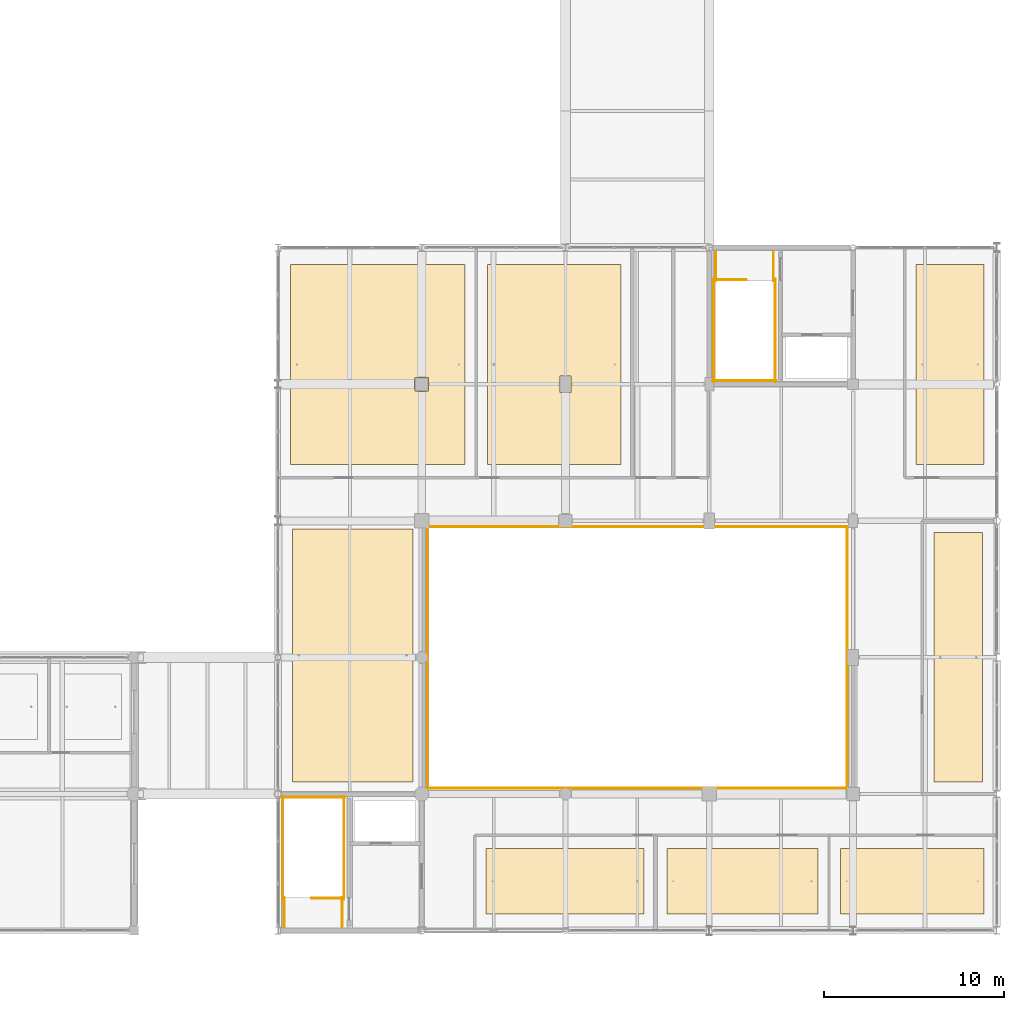
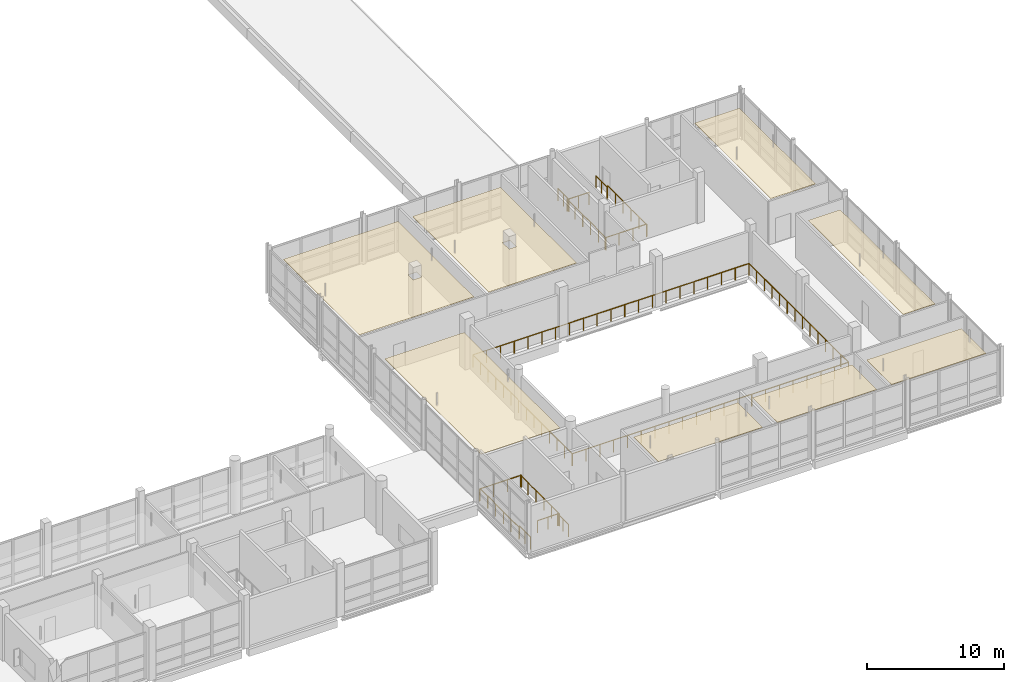
# One storey, part 105 of 107: 16 railings, 8 coverings.
"""IFC4 building model written with IfcOpenShell, lengths in metres."""

import ifcopenshell
import ifcopenshell.guid

model = None  # the IFC model being written
_history = None  # IfcOwnerHistory: only IFC2X3 demands one
_inside = {}  # id of a spatial element -> (the spatial element, [elements in it])
_under = {}  # id of a project, library or spatial element -> (it, [spatial elements below it])
_declared = {}  # id of a project -> (the project, [libraries it declares])
_typed = {}  # id of a type object -> (the type object, [elements of that type])
_made_of = {}  # id of a material, layer set ... -> (it, [elements and type objects made of it])


def new_model(schema):
    """Start an empty IFC model of exactly this schema.

    Asked for "IFC4X3", IfcOpenShell would pick the latest addendum, in which some entities
    have other attributes; the version numbers below select the first issue.
    IFC2X3 requires an IfcOwnerHistory on every rooted entity: one is made here for all.
    """
    global model, _history
    if schema == "IFC4X3":
        model = ifcopenshell.file(schema_version=(4, 3, 0, 0))
    else:
        model = ifcopenshell.file(schema=schema)
    _inside.clear()
    _under.clear()
    _declared.clear()
    _typed.clear()
    _made_of.clear()
    _history = None
    if model.schema == "IFC2X3":
        org = make("IfcOrganization", Name="unknown")
        user = make(
            "IfcPersonAndOrganization",
            ThePerson=make("IfcPerson", FamilyName="unknown"),
            TheOrganization=org,
        )
        app = make(
            "IfcApplication",
            ApplicationDeveloper=org,
            Version="unknown",
            ApplicationFullName="unknown",
            ApplicationIdentifier="unknown",
        )
        _history = make(
            "IfcOwnerHistory",
            OwningUser=user,
            OwningApplication=app,
            ChangeAction="ADDED",
            CreationDate=0,
        )
    return model


def make(cls, **values):
    """One entity of the class cls with the attributes given. An attribute that is None is left unset."""
    return model.create_entity(
        cls, **{name: value for name, value in values.items() if value is not None}
    )


def rooted(cls, **values):
    """An entity with a GlobalId (a new one), such as an element, a storey or a relation."""
    return make(cls, GlobalId=ifcopenshell.guid.new(), OwnerHistory=_history, **values)


def si_unit(unit_type, name, prefix=None):
    """IfcSIUnit, for example si_unit("LENGTHUNIT", "METRE", prefix="MILLI")."""
    return make("IfcSIUnit", UnitType=unit_type, Prefix=prefix, Name=name)


def assignment(units):
    """IfcUnitAssignment: the units of a project."""
    return None if units is None else make("IfcUnitAssignment", Units=units)


def point(xyz):
    """IfcCartesianPoint."""
    return None if xyz is None else make("IfcCartesianPoint", Coordinates=xyz)


def direction(xyz):
    """IfcDirection."""
    return None if xyz is None else make("IfcDirection", DirectionRatios=xyz)


def frame(location, z_axis=None, x_axis=None):
    """IfcAxis2Placement3D, a coordinate frame: its origin and axes. An axis left out is left unset."""
    return make(
        "IfcAxis2Placement3D",
        Location=point(location),
        Axis=direction(z_axis),
        RefDirection=direction(x_axis),
    )


def frame_2d(location, x_axis=None):
    """IfcAxis2Placement2D, a coordinate frame in the plane: its origin and x axis."""
    return make(
        "IfcAxis2Placement2D", Location=point(location), RefDirection=direction(x_axis)
    )


def origin():
    """The frame at (0, 0, 0) with its axes left unset."""
    return frame((0.0, 0.0, 0.0))


def origin_2d():
    """The frame at (0, 0) in the plane with its x axis left unset."""
    return frame_2d((0.0, 0.0))


def place(relative_to, where):
    """IfcLocalPlacement: puts the frame where relative to a parent placement (None: the world)."""
    return make(
        "IfcLocalPlacement", PlacementRelTo=relative_to, RelativePlacement=where
    )


def context(
    kind, dimensions, precision=None, world=None, true_north=None, identifier=None
):
    """IfcGeometricRepresentationContext, for example the 3D "Model" context."""
    return make(
        "IfcGeometricRepresentationContext",
        ContextIdentifier=identifier,
        ContextType=kind,
        CoordinateSpaceDimension=dimensions,
        Precision=precision,
        WorldCoordinateSystem=world,
        TrueNorth=true_north,
    )


def subcontext(parent, identifier, kind, view, scale=None):
    """IfcGeometricRepresentationSubContext, for example "Body" below "Model"."""
    return make(
        "IfcGeometricRepresentationSubContext",
        ContextIdentifier=identifier,
        ContextType=kind,
        ParentContext=parent,
        TargetScale=scale,
        TargetView=view,
    )


def project(units=None, contexts=None):
    """IfcProject with its units and contexts."""
    return rooted(
        "IfcProject",
        Name="project",
        RepresentationContexts=contexts,
        UnitsInContext=assignment(units),
    )


def spatial(cls, under=None, at=None, **own):
    """A site, building, storey or space (cls), placed at a placement, below another one or the project."""
    s = rooted(cls, ObjectPlacement=at, **own)
    if under is not None:
        _under.setdefault(under.id(), (under, []))[1].append(s)
    return s


def polyline(points):
    """IfcPolyline through the points."""
    return make("IfcPolyline", Points=[point(p) for p in points])


def profile(cls, at=None, kind="AREA", **sizes):
    """A parametric profile (cls). Its sizes go by their IFC names, for example OverallWidth=200.0."""
    return make(cls, ProfileType=kind, Position=at, **sizes)


def circle(**sizes):
    """IfcCircleProfileDef."""
    return profile("IfcCircleProfileDef", **sizes)


def outline(outer, holes=None, kind="AREA"):
    """IfcArbitraryClosedProfileDef: a profile drawn as a closed curve; with holes, ...WithVoids."""
    if holes is None:
        return make("IfcArbitraryClosedProfileDef", ProfileType=kind, OuterCurve=outer)
    return make(
        "IfcArbitraryProfileDefWithVoids",
        ProfileType=kind,
        OuterCurve=outer,
        InnerCurves=holes,
    )


def extrude(swept, where, along, depth):
    """IfcExtrudedAreaSolid: the profile swept, set in the frame where, extruded along a direction by depth."""
    return make(
        "IfcExtrudedAreaSolid",
        SweptArea=swept,
        Position=where,
        ExtrudedDirection=direction(along),
        Depth=depth,
    )


def shape(context_of_items, identifier, shape_type, items):
    """IfcShapeRepresentation: the items that make up one representation, for example the "Body"."""
    return make(
        "IfcShapeRepresentation",
        ContextOfItems=context_of_items,
        RepresentationIdentifier=identifier,
        RepresentationType=shape_type,
        Items=items,
    )


def material(Name=None, Category=None):
    """IfcMaterial."""
    return make("IfcMaterial", Name=Name, Category=Category)


def layer(
    of_material, thickness, ventilated=None, Name=None, Category=None, Priority=None
):
    """IfcMaterialLayer: one layer of a wall or slab, of a material (None: an air gap)."""
    return make(
        "IfcMaterialLayer",
        Material=of_material,
        LayerThickness=thickness,
        IsVentilated=ventilated,
        Name=Name,
        Category=Category,
        Priority=Priority,
    )


def layer_set(layers, Name=None):
    """IfcMaterialLayerSet."""
    return make("IfcMaterialLayerSet", MaterialLayers=layers, LayerSetName=Name)


def made_of(thing, what):
    """Note that an element or type object is made of a material, layer set ...; save() writes the relation."""
    if what is not None:
        _made_of.setdefault(what.id(), (what, []))[1].append(thing)
    return thing


def type_object(cls, material=None, **own):
    """A type object (cls), such as IfcWallType, which elements share."""
    return made_of(rooted(cls, **own), material)


def element(
    cls,
    number,
    at=None,
    inside=None,
    cuts=None,
    type_object=None,
    material=None,
    context=None,
    identifier="Body",
    shape_type=None,
    held_by="IfcProductDefinitionShape",
    body=None,
    shapes=None,
    **own,
):
    """One element of the class cls, such as IfcWall. Its Tag is "e" and its number.

    at: its placement. inside: the storey or other place that contains it. cuts: it is an
    opening in that element (IfcRelVoidsElement). A single representation is given by context,
    identifier, shape_type and body (its items); several are given by shapes. held_by: the class
    of the entity that holds the representations. save() writes the other relations.
    """
    e = rooted(cls, Tag="e%d" % number, ObjectPlacement=at, **own)
    if body is not None:
        shapes = [shape(context, identifier, shape_type, body)]
    if shapes is not None:
        e.Representation = make(held_by, Representations=shapes)
    if inside is not None:
        _inside.setdefault(inside.id(), (inside, []))[1].append(e)
    if cuts is not None:
        rooted(
            "IfcRelVoidsElement", RelatingBuildingElement=cuts, RelatedOpeningElement=e
        )
    if type_object is not None:
        _typed.setdefault(type_object.id(), (type_object, []))[1].append(e)
    return made_of(e, material)


def aggregate(whole, parts):
    """IfcRelAggregates: a whole, such as a stair, and the parts it consists of."""
    return rooted("IfcRelAggregates", RelatingObject=whole, RelatedObjects=parts)


def save(model, path):
    """Write the relations noted so far, then the file.

    IfcRelAggregates (storeys below a building ...), IfcRelContainedInSpatialStructure (elements
    in a storey), IfcRelDefinesByType, IfcRelAssociatesMaterial and IfcRelDeclares: one each for
    every whole, place, type object, material and project.
    """
    for whole, parts in _under.values():
        aggregate(whole, parts)
    for where, things in _inside.values():
        rooted(
            "IfcRelContainedInSpatialStructure",
            RelatedElements=things,
            RelatingStructure=where,
        )
    for kind, things in _typed.values():
        rooted("IfcRelDefinesByType", RelatedObjects=things, RelatingType=kind)
    for what, things in _made_of.values():
        rooted("IfcRelAssociatesMaterial", RelatedObjects=things, RelatingMaterial=what)
    for by, libraries in _declared.values():
        rooted("IfcRelDeclares", RelatingContext=by, RelatedDefinitions=libraries)
    model.write(path)


model = new_model("IFC4")

# Units and contexts
model_context = context("Model", 3, precision=1e-05, world=origin(), true_north=direction((0.0, 1.0)))
body_context = subcontext(model_context, "Body", "Model", "MODEL_VIEW")
ifc_project = project(units=[si_unit("LENGTHUNIT", "METRE"), si_unit("AREAUNIT", "SQUARE_METRE"), si_unit("VOLUMEUNIT", "CUBIC_METRE"), si_unit("PLANEANGLEUNIT", "RADIAN"), si_unit("MASSUNIT", "GRAM", prefix="KILO")], contexts=[model_context])

# Site, building, storey
site_placement = place(None, origin())
site = spatial("IfcSite", under=ifc_project, at=site_placement, CompositionType="ELEMENT")
building_placement = place(site_placement, origin())
building = spatial("IfcBuilding", under=site, at=building_placement, Name="Khelvaren Railside Concert Hall", CompositionType="ELEMENT")
storey_placement = place(building_placement, frame((0.0, 0.0, 15.0)))
storey = spatial("IfcBuildingStorey", under=building, at=storey_placement, Name="L03", CompositionType="ELEMENT", Elevation=15.0)

# Coverings
ifc_material_1 = material(Name="Mineral-wool acoustic baffle ceiling", Category="gypsum")
ifc_layer_1 = layer(ifc_material_1, 0.0400390625)
ifc_layer_set_1 = layer_set([ifc_layer_1], Name="Mineral-wool acoustic baffle ceiling")
covering_type_1 = type_object("IfcCoveringType", Name="CLG20", PredefinedType="CEILING", material=ifc_layer_set_1)
covering_1_placement = place(storey_placement, frame((0.0, 0.0, 3.409912109375)))
element("IfcCovering", 1, at=covering_1_placement, inside=storey, type_object=covering_type_1, Name="Suspended Acoustic Ceiling V2 L03 West Bridge Foyer", PredefinedType="CEILING", context=body_context, shape_type="SweptSolid", body=[
    extrude(outline(polyline([(144.800048828125, 8.27001953125), (151.5, 8.27001953125), (151.5, 22.35009765625), (144.800048828125, 22.35009765625), (144.800048828125, 8.27001953125)])), origin(), (0.0, 0.0, 1.0), 0.0400390625),
])
covering_2_placement = place(storey_placement, frame((0.0, 0.0, 3.409912109375)))
element("IfcCovering", 2, at=covering_2_placement, inside=storey, type_object=covering_type_1, Name="Suspended Acoustic Ceiling Choral Warm-Up Studio", PredefinedType="CEILING", context=body_context, shape_type="SweptSolid", body=[
    extrude(outline(polyline([(155.580078125, 0.929931640625), (164.37890625, 0.929931640625), (164.37890625, 4.570068359375), (155.580078125, 4.570068359375), (155.580078125, 0.929931640625)])), origin(), (0.0, 0.0, 1.0), 0.0400390625),
])
covering_3_placement = place(storey_placement, frame((0.0, 0.0, 3.409912109375)))
element("IfcCovering", 3, at=covering_3_placement, inside=storey, type_object=covering_type_1, Name="Suspended Acoustic Ceiling Instrument Microphone Store", PredefinedType="CEILING", context=body_context, shape_type="SweptSolid", body=[
    extrude(outline(polyline([(175.2958984375, 0.929931640625), (183.2900390625, 0.929931640625), (183.2900390625, 4.570068359375), (175.2958984375, 4.570068359375), (175.2958984375, 0.929931640625)])), origin(), (0.0, 0.0, 1.0), 0.0400390625),
])
covering_4_placement = place(storey_placement, frame((0.0, 0.0, 3.409912109375)))
element("IfcCovering", 4, at=covering_4_placement, inside=storey, type_object=covering_type_1, Name="Suspended Acoustic Ceiling Acoustic Editing Room L03", PredefinedType="CEILING", context=body_context, shape_type="SweptSolid", body=[
    extrude(outline(polyline([(155.6630859375, 25.929931640625), (163.0830078125, 25.929931640625), (163.0830078125, 37.070068359375), (155.6630859375, 37.070068359375), (155.6630859375, 25.929931640625)]), holes=[polyline([(159.68505859375, 29.93505859375), (160.31494140625, 29.93505859375), (160.31494140625, 30.864990234375), (159.68505859375, 30.864990234375), (159.68505859375, 29.93505859375)])]), origin(), (0.0, 0.0, 1.0), 0.0400390625),
])
ifc_material_2 = material(Name="Micro-perforated timber acoustic ceiling", Category="wood")
ifc_layer_2 = layer(ifc_material_2, 0.030029296875)
ifc_layer_set_2 = layer_set([ifc_layer_2], Name="Micro-perforated timber acoustic ceiling")
covering_type_2 = type_object("IfcCoveringType", Name="CLG77", PredefinedType="CEILING", material=ifc_layer_set_2)
covering_5_placement = place(storey_placement, frame((0.0, 0.0, 3.419921875)))
element("IfcCovering", 5, at=covering_5_placement, inside=storey, type_object=covering_type_2, Name="Suspended Acoustic Ceiling Acoustic Mastering Control Room L03", PredefinedType="CEILING", context=body_context, shape_type="SweptSolid", body=[
    extrude(outline(polyline([(180.5, 8.27001953125), (183.199951171875, 8.27001953125), (183.199951171875, 22.14990234375), (180.5, 22.14990234375), (180.5, 8.27001953125)])), origin(), (0.0, 0.0, 1.0), 0.030029296875),
])
covering_6_placement = place(storey_placement, frame((0.0, 0.0, 3.419921875)))
element("IfcCovering", 6, at=covering_6_placement, inside=storey, type_object=covering_type_2, Name="Suspended Acoustic Ceiling Recording Observation Booth", PredefinedType="CEILING", context=body_context, shape_type="SweptSolid", body=[
    extrude(outline(polyline([(165.638916015625, 0.929931640625), (174.035888671875, 0.929931640625), (174.035888671875, 4.570068359375), (165.638916015625, 4.570068359375), (165.638916015625, 0.929931640625)])), origin(), (0.0, 0.0, 1.0), 0.030029296875),
])
covering_7_placement = place(storey_placement, frame((0.0, 0.0, 3.419921875)))
element("IfcCovering", 7, at=covering_7_placement, inside=storey, type_object=covering_type_2, Name="Suspended Acoustic Ceiling Chamber Recording Studio L03", PredefinedType="CEILING", context=body_context, shape_type="SweptSolid", body=[
    extrude(outline(polyline([(144.7099609375, 25.929931640625), (154.403076171875, 25.929931640625), (154.403076171875, 37.070068359375), (144.7099609375, 37.070068359375), (144.7099609375, 25.929931640625)]), holes=[polyline([(151.635009765625, 30.034912109375), (152.364990234375, 30.034912109375), (152.364990234375, 30.764892578125), (151.635009765625, 30.764892578125), (151.635009765625, 30.034912109375)])]), origin(), (0.0, 0.0, 1.0), 0.030029296875),
])
covering_8_placement = place(storey_placement, frame((0.0, 0.0, 3.419921875)))
element("IfcCovering", 8, at=covering_8_placement, inside=storey, type_object=covering_type_2, Name="Suspended Acoustic Ceiling Sound Archive Server Room L03", PredefinedType="CEILING", context=body_context, shape_type="SweptSolid", body=[
    extrude(outline(polyline([(179.510009765625, 25.929931640625), (183.2900390625, 25.929931640625), (183.2900390625, 37.070068359375), (179.510009765625, 37.070068359375), (179.510009765625, 25.929931640625)])), origin(), (0.0, 0.0, 1.0), 0.030029296875),
])

# Railings
ifc_material_3 = material(Name="Painted architectural steel", Category="steel")
railing_type_1 = type_object("IfcRailingType", Name="GRD86", PredefinedType="GUARDRAIL", material=ifc_material_3)
railing_1_placement = place(storey_placement, frame((147.6201171875, 1.7900390625, 0.0)))
element("IfcRailing", 9, at=railing_1_placement, inside=storey, type_object=railing_type_1, Name="L03 ST-03 top well guard 1", PredefinedType="GUARDRAIL", context=body_context, shape_type="SweptSolid", body=[
    extrude(circle(Radius=0.02392578125, at=origin_2d()), frame((0.0, 0.0, 1.076171875), z_axis=(-1.0, 0.0, 0.0), x_axis=(0.0, -1.0, 0.0)), (0.0, 0.0, 1.0), 1.760009765625),
    extrude(circle(Radius=0.02099609375, at=origin_2d()), origin(), (0.0, 0.0, 1.0), 1.052001953125),
    extrude(circle(Radius=0.02099609375, at=origin_2d()), frame((-0.8798828125, 0.0, 0.0)), (0.0, 0.0, 1.0), 1.052001953125),
    extrude(circle(Radius=0.02099609375, at=origin_2d()), frame((-1.760009765625, 0.0, 0.0)), (0.0, 0.0, 1.0), 1.052001953125),
])
for number, where, name in (
    (10, (147.669921875, 1.739990234375, 0.0), "L03 ST-03 top well guard 2"),
    (11, (144.25, 1.739990234375, 0.0), "L03 ST-03 top well guard 3"),
):
    element("IfcRailing", number, at=place(storey_placement, frame(where)), inside=storey, type_object=railing_type_1, Name=name, PredefinedType="GUARDRAIL", context=body_context, shape_type="SweptSolid", body=[
        extrude(circle(Radius=0.02392578125, at=origin_2d()), frame((0.0, 0.0, 1.076171875), z_axis=(0.0, 1.0, 0.0), x_axis=(-1.0, 0.0, 0.0)), (0.0, 0.0, 1.0), 5.719970703125),
        extrude(circle(Radius=0.02099609375, at=origin_2d()), origin(), (0.0, 0.0, 1.0), 1.052001953125),
        extrude(circle(Radius=0.02099609375, at=origin_2d()), frame((0.0, 1.14404296875, 0.0)), (0.0, 0.0, 1.0), 1.052001953125),
        extrude(circle(Radius=0.02099609375, at=origin_2d()), frame((0.0, 2.2880859375, 0.0)), (0.0, 0.0, 1.0), 1.052001953125),
        extrude(circle(Radius=0.02099609375, at=origin_2d()), frame((0.0, 3.431884765625, 0.0)), (0.0, 0.0, 1.0), 1.052001953125),
        extrude(circle(Radius=0.02099609375, at=origin_2d()), frame((0.0, 4.575927734375, 0.0)), (0.0, 0.0, 1.0), 1.052001953125),
        extrude(circle(Radius=0.02099609375, at=origin_2d()), frame((0.0, 5.719970703125, 0.0)), (0.0, 0.0, 1.0), 1.052001953125),
    ])
railing_2_placement = place(storey_placement, frame((147.719970703125, 7.409912109375, 0.0)))
element("IfcRailing", 12, at=railing_2_placement, inside=storey, type_object=railing_type_1, Name="L03 ST-03 top well guard 4", PredefinedType="GUARDRAIL", context=body_context, shape_type="SweptSolid", body=[
    extrude(circle(Radius=0.02392578125, at=origin_2d()), frame((0.0, 0.0, 1.076171875), z_axis=(-1.0, 0.0, 0.0), x_axis=(0.0, -1.0, 0.0)), (0.0, 0.0, 1.0), 3.52001953125),
    extrude(circle(Radius=0.02099609375, at=origin_2d()), origin(), (0.0, 0.0, 1.0), 1.052001953125),
    extrude(circle(Radius=0.02099609375, at=origin_2d()), frame((-1.17333984375, 0.0, 0.0)), (0.0, 0.0, 1.0), 1.052001953125),
    extrude(circle(Radius=0.02099609375, at=origin_2d()), frame((-2.3466796875, 0.0, 0.0)), (0.0, 0.0, 1.0), 1.052001953125),
    extrude(circle(Radius=0.02099609375, at=origin_2d()), frame((-3.52001953125, 0.0, 0.0)), (0.0, 0.0, 1.0), 1.052001953125),
])
for number, where, name in (
    (13, (147.570068359375, 0.239990234375, 0.0), "L03 ST-03 top well guard 5"),
    (14, (144.35009765625, 0.239990234375, 0.0), "L03 ST-03 top well guard 6"),
):
    element("IfcRailing", number, at=place(storey_placement, frame(where)), inside=storey, type_object=railing_type_1, Name=name, PredefinedType="GUARDRAIL", context=body_context, shape_type="SweptSolid", body=[
        extrude(circle(Radius=0.02392578125, at=origin_2d()), frame((0.0, 0.0, 1.076171875), z_axis=(0.0, 1.0, 0.0), x_axis=(-1.0, 0.0, 0.0)), (0.0, 0.0, 1.0), 1.60009765625),
        extrude(circle(Radius=0.02099609375, at=origin_2d()), origin(), (0.0, 0.0, 1.0), 1.052001953125),
        extrude(circle(Radius=0.02099609375, at=origin_2d()), frame((0.0, 0.800048828125, 0.0)), (0.0, 0.0, 1.0), 1.052001953125),
        extrude(circle(Radius=0.02099609375, at=origin_2d()), frame((0.0, 1.60009765625, 0.0)), (0.0, 0.0, 1.0), 1.052001953125),
    ])
railing_3_placement = place(storey_placement, frame((168.300048828125, 36.2099609375, 0.0)))
element("IfcRailing", 15, at=railing_3_placement, inside=storey, type_object=railing_type_1, Name="L03 ST-04 top well guard 1", PredefinedType="GUARDRAIL", context=body_context, shape_type="SweptSolid", body=[
    extrude(circle(Radius=0.02392578125, at=origin_2d()), frame((0.0, 0.0, 1.076171875), z_axis=(1.0, 0.0, 0.0), x_axis=(0.0, 1.0, 0.0)), (0.0, 0.0, 1.0), 1.760009765625),
    extrude(circle(Radius=0.02099609375, at=origin_2d()), origin(), (0.0, 0.0, 1.0), 1.052001953125),
    extrude(circle(Radius=0.02099609375, at=origin_2d()), frame((0.8798828125, 0.0, 0.0)), (0.0, 0.0, 1.0), 1.052001953125),
    extrude(circle(Radius=0.02099609375, at=origin_2d()), frame((1.760009765625, 0.0, 0.0)), (0.0, 0.0, 1.0), 1.052001953125),
])
for number, where, name in (
    (16, (168.25, 36.260009765625, 0.0), "L03 ST-04 top well guard 2"),
    (17, (171.669921875, 36.260009765625, 0.0), "L03 ST-04 top well guard 3"),
):
    element("IfcRailing", number, at=place(storey_placement, frame(where)), inside=storey, type_object=railing_type_1, Name=name, PredefinedType="GUARDRAIL", context=body_context, shape_type="SweptSolid", body=[
        extrude(circle(Radius=0.02392578125, at=origin_2d()), frame((0.0, 0.0, 1.076171875), z_axis=(0.0, -1.0, 0.0), x_axis=(1.0, 0.0, 0.0)), (0.0, 0.0, 1.0), 5.719970703125),
        extrude(circle(Radius=0.02099609375, at=origin_2d()), origin(), (0.0, 0.0, 1.0), 1.052001953125),
        extrude(circle(Radius=0.02099609375, at=origin_2d()), frame((0.0, -1.14404296875, 0.0)), (0.0, 0.0, 1.0), 1.052001953125),
        extrude(circle(Radius=0.02099609375, at=origin_2d()), frame((0.0, -2.2880859375, 0.0)), (0.0, 0.0, 1.0), 1.052001953125),
        extrude(circle(Radius=0.02099609375, at=origin_2d()), frame((0.0, -3.431884765625, 0.0)), (0.0, 0.0, 1.0), 1.052001953125),
        extrude(circle(Radius=0.02099609375, at=origin_2d()), frame((0.0, -4.575927734375, 0.0)), (0.0, 0.0, 1.0), 1.052001953125),
        extrude(circle(Radius=0.02099609375, at=origin_2d()), frame((0.0, -5.719970703125, 0.0)), (0.0, 0.0, 1.0), 1.052001953125),
    ])
railing_4_placement = place(storey_placement, frame((168.199951171875, 30.590087890625, 0.0)))
element("IfcRailing", 18, at=railing_4_placement, inside=storey, type_object=railing_type_1, Name="L03 ST-04 top well guard 4", PredefinedType="GUARDRAIL", context=body_context, shape_type="SweptSolid", body=[
    extrude(circle(Radius=0.02392578125, at=origin_2d()), frame((0.0, 0.0, 1.076171875), z_axis=(1.0, 0.0, 0.0), x_axis=(0.0, 1.0, 0.0)), (0.0, 0.0, 1.0), 3.52001953125),
    extrude(circle(Radius=0.02099609375, at=origin_2d()), origin(), (0.0, 0.0, 1.0), 1.052001953125),
    extrude(circle(Radius=0.02099609375, at=origin_2d()), frame((1.17333984375, 0.0, 0.0)), (0.0, 0.0, 1.0), 1.052001953125),
    extrude(circle(Radius=0.02099609375, at=origin_2d()), frame((2.3466796875, 0.0, 0.0)), (0.0, 0.0, 1.0), 1.052001953125),
    extrude(circle(Radius=0.02099609375, at=origin_2d()), frame((3.52001953125, 0.0, 0.0)), (0.0, 0.0, 1.0), 1.052001953125),
])
for number, where, name in (
    (19, (168.35009765625, 37.760009765625, 0.0), "L03 ST-04 top well guard 5"),
    (20, (171.570068359375, 37.760009765625, 0.0), "L03 ST-04 top well guard 6"),
):
    element("IfcRailing", number, at=place(storey_placement, frame(where)), inside=storey, type_object=railing_type_1, Name=name, PredefinedType="GUARDRAIL", context=body_context, shape_type="SweptSolid", body=[
        extrude(circle(Radius=0.02392578125, at=origin_2d()), frame((0.0, 0.0, 1.076171875), z_axis=(0.0, -1.0, 0.0), x_axis=(1.0, 0.0, 0.0)), (0.0, 0.0, 1.0), 1.60009765625),
        extrude(circle(Radius=0.02099609375, at=origin_2d()), origin(), (0.0, 0.0, 1.0), 1.052001953125),
        extrude(circle(Radius=0.02099609375, at=origin_2d()), frame((0.0, -0.800048828125, 0.0)), (0.0, 0.0, 1.0), 1.052001953125),
        extrude(circle(Radius=0.02099609375, at=origin_2d()), frame((0.0, -1.60009765625, 0.0)), (0.0, 0.0, 1.0), 1.052001953125),
    ])
ifc_material_4 = material(Name="Acoustic bronze and laminated glass guardrail", Category="glass")
railing_type_2 = type_object("IfcRailingType", Name="GRD91", PredefinedType="GUARDRAIL", material=ifc_material_4)
railing_5_placement = place(storey_placement, frame((152.320068359375, 7.919921875, 0.0)))
element("IfcRailing", 21, at=railing_5_placement, inside=storey, type_object=railing_type_2, Name="V2 L03 Acoustic Bowl Edge Guardrail S", PredefinedType="GUARDRAIL", context=body_context, shape_type="SweptSolid", body=[
    extrude(circle(Radius=0.02392578125, at=origin_2d()), frame((0.0, 0.0, 1.076171875), z_axis=(1.0, 0.0, 0.0), x_axis=(0.0, 1.0, 0.0)), (0.0, 0.0, 1.0), 23.35986328125),
    extrude(circle(Radius=0.02099609375, at=origin_2d()), origin(), (0.0, 0.0, 1.0), 1.052001953125),
    extrude(circle(Radius=0.02099609375, at=origin_2d()), frame((1.16796875, 0.0, 0.0)), (0.0, 0.0, 1.0), 1.052001953125),
    extrude(circle(Radius=0.02099609375, at=origin_2d()), frame((2.3359375, 0.0, 0.0)), (0.0, 0.0, 1.0), 1.052001953125),
    extrude(circle(Radius=0.02099609375, at=origin_2d()), frame((3.50390625, 0.0, 0.0)), (0.0, 0.0, 1.0), 1.052001953125),
    extrude(circle(Radius=0.02099609375, at=origin_2d()), frame((4.671875, 0.0, 0.0)), (0.0, 0.0, 1.0), 1.052001953125),
    extrude(circle(Radius=0.02099609375, at=origin_2d()), frame((5.83984375, 0.0, 0.0)), (0.0, 0.0, 1.0), 1.052001953125),
    extrude(circle(Radius=0.02099609375, at=origin_2d()), frame((7.008056640625, 0.0, 0.0)), (0.0, 0.0, 1.0), 1.052001953125),
    extrude(circle(Radius=0.02099609375, at=origin_2d()), frame((8.176025390625, 0.0, 0.0)), (0.0, 0.0, 1.0), 1.052001953125),
    extrude(circle(Radius=0.02099609375, at=origin_2d()), frame((9.343994140625, 0.0, 0.0)), (0.0, 0.0, 1.0), 1.052001953125),
    extrude(circle(Radius=0.02099609375, at=origin_2d()), frame((10.511962890625, 0.0, 0.0)), (0.0, 0.0, 1.0), 1.052001953125),
    extrude(circle(Radius=0.02099609375, at=origin_2d()), frame((11.679931640625, 0.0, 0.0)), (0.0, 0.0, 1.0), 1.052001953125),
    extrude(circle(Radius=0.02099609375, at=origin_2d()), frame((12.847900390625, 0.0, 0.0)), (0.0, 0.0, 1.0), 1.052001953125),
    extrude(circle(Radius=0.02099609375, at=origin_2d()), frame((14.015869140625, 0.0, 0.0)), (0.0, 0.0, 1.0), 1.052001953125),
    extrude(circle(Radius=0.02099609375, at=origin_2d()), frame((15.183837890625, 0.0, 0.0)), (0.0, 0.0, 1.0), 1.052001953125),
    extrude(circle(Radius=0.02099609375, at=origin_2d()), frame((16.351806640625, 0.0, 0.0)), (0.0, 0.0, 1.0), 1.052001953125),
    extrude(circle(Radius=0.02099609375, at=origin_2d()), frame((17.52001953125, 0.0, 0.0)), (0.0, 0.0, 1.0), 1.052001953125),
    extrude(circle(Radius=0.02099609375, at=origin_2d()), frame((18.68798828125, 0.0, 0.0)), (0.0, 0.0, 1.0), 1.052001953125),
    extrude(circle(Radius=0.02099609375, at=origin_2d()), frame((19.85595703125, 0.0, 0.0)), (0.0, 0.0, 1.0), 1.052001953125),
    extrude(circle(Radius=0.02099609375, at=origin_2d()), frame((21.02392578125, 0.0, 0.0)), (0.0, 0.0, 1.0), 1.052001953125),
    extrude(circle(Radius=0.02099609375, at=origin_2d()), frame((22.19189453125, 0.0, 0.0)), (0.0, 0.0, 1.0), 1.052001953125),
    extrude(circle(Radius=0.02099609375, at=origin_2d()), frame((23.35986328125, 0.0, 0.0)), (0.0, 0.0, 1.0), 1.052001953125),
])
railing_6_placement = place(storey_placement, frame((175.679931640625, 22.47998046875, 0.0)))
element("IfcRailing", 22, at=railing_6_placement, inside=storey, type_object=railing_type_2, Name="V2 L03 Acoustic Bowl Edge Guardrail N", PredefinedType="GUARDRAIL", context=body_context, shape_type="SweptSolid", body=[
    extrude(circle(Radius=0.02392578125, at=origin_2d()), frame((0.0, 0.0, 1.076171875), z_axis=(-1.0, 0.0, 0.0), x_axis=(0.0, -1.0, 0.0)), (0.0, 0.0, 1.0), 23.35986328125),
    extrude(circle(Radius=0.02099609375, at=origin_2d()), origin(), (0.0, 0.0, 1.0), 1.052001953125),
    extrude(circle(Radius=0.02099609375, at=origin_2d()), frame((-1.16796875, 0.0, 0.0)), (0.0, 0.0, 1.0), 1.052001953125),
    extrude(circle(Radius=0.02099609375, at=origin_2d()), frame((-2.3359375, 0.0, 0.0)), (0.0, 0.0, 1.0), 1.052001953125),
    extrude(circle(Radius=0.02099609375, at=origin_2d()), frame((-3.50390625, 0.0, 0.0)), (0.0, 0.0, 1.0), 1.052001953125),
    extrude(circle(Radius=0.02099609375, at=origin_2d()), frame((-4.671875, 0.0, 0.0)), (0.0, 0.0, 1.0), 1.052001953125),
    extrude(circle(Radius=0.02099609375, at=origin_2d()), frame((-5.83984375, 0.0, 0.0)), (0.0, 0.0, 1.0), 1.052001953125),
    extrude(circle(Radius=0.02099609375, at=origin_2d()), frame((-7.008056640625, 0.0, 0.0)), (0.0, 0.0, 1.0), 1.052001953125),
    extrude(circle(Radius=0.02099609375, at=origin_2d()), frame((-8.176025390625, 0.0, 0.0)), (0.0, 0.0, 1.0), 1.052001953125),
    extrude(circle(Radius=0.02099609375, at=origin_2d()), frame((-9.343994140625, 0.0, 0.0)), (0.0, 0.0, 1.0), 1.052001953125),
    extrude(circle(Radius=0.02099609375, at=origin_2d()), frame((-10.511962890625, 0.0, 0.0)), (0.0, 0.0, 1.0), 1.052001953125),
    extrude(circle(Radius=0.02099609375, at=origin_2d()), frame((-11.679931640625, 0.0, 0.0)), (0.0, 0.0, 1.0), 1.052001953125),
    extrude(circle(Radius=0.02099609375, at=origin_2d()), frame((-12.847900390625, 0.0, 0.0)), (0.0, 0.0, 1.0), 1.052001953125),
    extrude(circle(Radius=0.02099609375, at=origin_2d()), frame((-14.015869140625, 0.0, 0.0)), (0.0, 0.0, 1.0), 1.052001953125),
    extrude(circle(Radius=0.02099609375, at=origin_2d()), frame((-15.183837890625, 0.0, 0.0)), (0.0, 0.0, 1.0), 1.052001953125),
    extrude(circle(Radius=0.02099609375, at=origin_2d()), frame((-16.351806640625, 0.0, 0.0)), (0.0, 0.0, 1.0), 1.052001953125),
    extrude(circle(Radius=0.02099609375, at=origin_2d()), frame((-17.52001953125, 0.0, 0.0)), (0.0, 0.0, 1.0), 1.052001953125),
    extrude(circle(Radius=0.02099609375, at=origin_2d()), frame((-18.68798828125, 0.0, 0.0)), (0.0, 0.0, 1.0), 1.052001953125),
    extrude(circle(Radius=0.02099609375, at=origin_2d()), frame((-19.85595703125, 0.0, 0.0)), (0.0, 0.0, 1.0), 1.052001953125),
    extrude(circle(Radius=0.02099609375, at=origin_2d()), frame((-21.02392578125, 0.0, 0.0)), (0.0, 0.0, 1.0), 1.052001953125),
    extrude(circle(Radius=0.02099609375, at=origin_2d()), frame((-22.19189453125, 0.0, 0.0)), (0.0, 0.0, 1.0), 1.052001953125),
    extrude(circle(Radius=0.02099609375, at=origin_2d()), frame((-23.35986328125, 0.0, 0.0)), (0.0, 0.0, 1.0), 1.052001953125),
])
railing_7_placement = place(storey_placement, frame((152.320068359375, 22.47998046875, 0.0)))
element("IfcRailing", 23, at=railing_7_placement, inside=storey, type_object=railing_type_2, Name="V2 L03 Acoustic Bowl Edge Guardrail W", PredefinedType="GUARDRAIL", context=body_context, shape_type="SweptSolid", body=[
    extrude(circle(Radius=0.02392578125, at=origin_2d()), frame((0.0, 0.0, 1.076171875), z_axis=(0.0, -1.0, 0.0), x_axis=(1.0, 0.0, 0.0)), (0.0, 0.0, 1.0), 14.56005859375),
    extrude(circle(Radius=0.02099609375, at=origin_2d()), origin(), (0.0, 0.0, 1.0), 1.052001953125),
    extrude(circle(Radius=0.02099609375, at=origin_2d()), frame((0.0, -1.1201171875, 0.0)), (0.0, 0.0, 1.0), 1.052001953125),
    extrude(circle(Radius=0.02099609375, at=origin_2d()), frame((0.0, -2.239990234375, 0.0)), (0.0, 0.0, 1.0), 1.052001953125),
    extrude(circle(Radius=0.02099609375, at=origin_2d()), frame((0.0, -3.360107421875, 0.0)), (0.0, 0.0, 1.0), 1.052001953125),
    extrude(circle(Radius=0.02099609375, at=origin_2d()), frame((0.0, -4.47998046875, 0.0)), (0.0, 0.0, 1.0), 1.052001953125),
    extrude(circle(Radius=0.02099609375, at=origin_2d()), frame((0.0, -5.60009765625, 0.0)), (0.0, 0.0, 1.0), 1.052001953125),
    extrude(circle(Radius=0.02099609375, at=origin_2d()), frame((0.0, -6.719970703125, 0.0)), (0.0, 0.0, 1.0), 1.052001953125),
    extrude(circle(Radius=0.02099609375, at=origin_2d()), frame((0.0, -7.840087890625, 0.0)), (0.0, 0.0, 1.0), 1.052001953125),
    extrude(circle(Radius=0.02099609375, at=origin_2d()), frame((0.0, -8.9599609375, 0.0)), (0.0, 0.0, 1.0), 1.052001953125),
    extrude(circle(Radius=0.02099609375, at=origin_2d()), frame((0.0, -10.080078125, 0.0)), (0.0, 0.0, 1.0), 1.052001953125),
    extrude(circle(Radius=0.02099609375, at=origin_2d()), frame((0.0, -11.199951171875, 0.0)), (0.0, 0.0, 1.0), 1.052001953125),
    extrude(circle(Radius=0.02099609375, at=origin_2d()), frame((0.0, -12.320068359375, 0.0)), (0.0, 0.0, 1.0), 1.052001953125),
    extrude(circle(Radius=0.02099609375, at=origin_2d()), frame((0.0, -13.43994140625, 0.0)), (0.0, 0.0, 1.0), 1.052001953125),
    extrude(circle(Radius=0.02099609375, at=origin_2d()), frame((0.0, -14.56005859375, 0.0)), (0.0, 0.0, 1.0), 1.052001953125),
])
railing_8_placement = place(storey_placement, frame((175.679931640625, 7.919921875, 0.0)))
element("IfcRailing", 24, at=railing_8_placement, inside=storey, type_object=railing_type_2, Name="V2 L03 Acoustic Bowl Edge Guardrail E", PredefinedType="GUARDRAIL", context=body_context, shape_type="SweptSolid", body=[
    extrude(circle(Radius=0.02392578125, at=origin_2d()), frame((0.0, 0.0, 1.076171875), z_axis=(0.0, 1.0, 0.0), x_axis=(-1.0, 0.0, 0.0)), (0.0, 0.0, 1.0), 14.56005859375),
    extrude(circle(Radius=0.02099609375, at=origin_2d()), origin(), (0.0, 0.0, 1.0), 1.052001953125),
    extrude(circle(Radius=0.02099609375, at=origin_2d()), frame((0.0, 1.1201171875, 0.0)), (0.0, 0.0, 1.0), 1.052001953125),
    extrude(circle(Radius=0.02099609375, at=origin_2d()), frame((0.0, 2.239990234375, 0.0)), (0.0, 0.0, 1.0), 1.052001953125),
    extrude(circle(Radius=0.02099609375, at=origin_2d()), frame((0.0, 3.360107421875, 0.0)), (0.0, 0.0, 1.0), 1.052001953125),
    extrude(circle(Radius=0.02099609375, at=origin_2d()), frame((0.0, 4.47998046875, 0.0)), (0.0, 0.0, 1.0), 1.052001953125),
    extrude(circle(Radius=0.02099609375, at=origin_2d()), frame((0.0, 5.60009765625, 0.0)), (0.0, 0.0, 1.0), 1.052001953125),
    extrude(circle(Radius=0.02099609375, at=origin_2d()), frame((0.0, 6.719970703125, 0.0)), (0.0, 0.0, 1.0), 1.052001953125),
    extrude(circle(Radius=0.02099609375, at=origin_2d()), frame((0.0, 7.840087890625, 0.0)), (0.0, 0.0, 1.0), 1.052001953125),
    extrude(circle(Radius=0.02099609375, at=origin_2d()), frame((0.0, 8.9599609375, 0.0)), (0.0, 0.0, 1.0), 1.052001953125),
    extrude(circle(Radius=0.02099609375, at=origin_2d()), frame((0.0, 10.080078125, 0.0)), (0.0, 0.0, 1.0), 1.052001953125),
    extrude(circle(Radius=0.02099609375, at=origin_2d()), frame((0.0, 11.199951171875, 0.0)), (0.0, 0.0, 1.0), 1.052001953125),
    extrude(circle(Radius=0.02099609375, at=origin_2d()), frame((0.0, 12.320068359375, 0.0)), (0.0, 0.0, 1.0), 1.052001953125),
    extrude(circle(Radius=0.02099609375, at=origin_2d()), frame((0.0, 13.43994140625, 0.0)), (0.0, 0.0, 1.0), 1.052001953125),
    extrude(circle(Radius=0.02099609375, at=origin_2d()), frame((0.0, 14.56005859375, 0.0)), (0.0, 0.0, 1.0), 1.052001953125),
])

save(model, "model.ifc")
